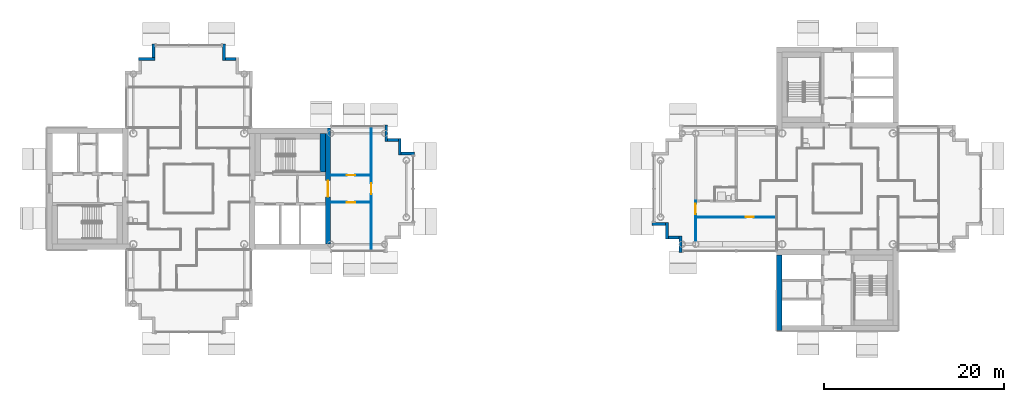
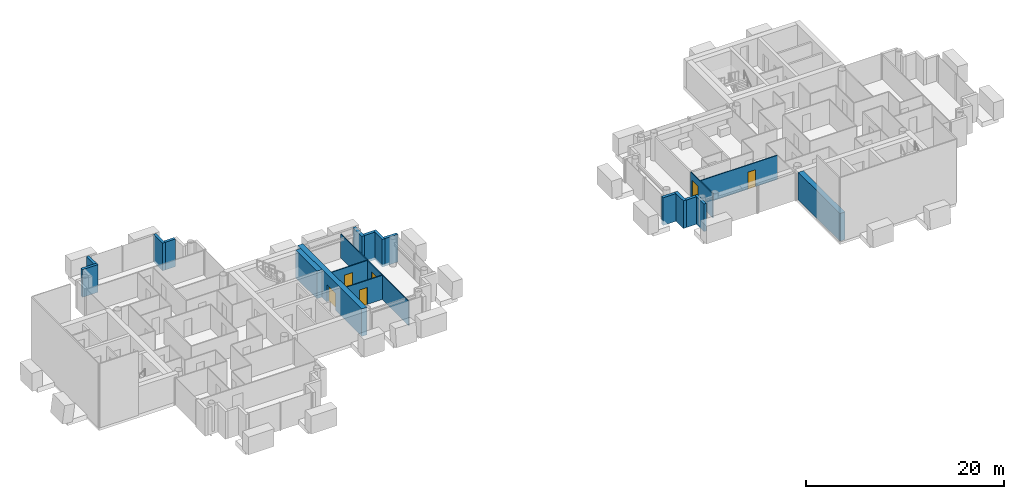
# One storey, part 8 of 18: 20 walls, 6 doors, 6 openings.
"""IFC4 building model written with IfcOpenShell, lengths in metres."""

from ifc_helpers import new_model, si_unit, direction, frame, frame_2d, origin, place, context, subcontext, project, spatial, rectangle, extrude, material, layer, layer_set, type_object, element, fill, save


model = new_model("IFC4")

# Units and contexts
model_context = context("Model", 3, precision=1e-05, world=origin(), true_north=direction((0.0, 1.0)))
body_context = subcontext(model_context, "Body", "Model", "MODEL_VIEW")
ifc_project = project(units=[si_unit("LENGTHUNIT", "METRE"), si_unit("AREAUNIT", "SQUARE_METRE"), si_unit("VOLUMEUNIT", "CUBIC_METRE"), si_unit("PLANEANGLEUNIT", "RADIAN"), si_unit("MASSUNIT", "GRAM", prefix="KILO")], contexts=[model_context])

# Site, building, storey
site_placement = place(None, origin())
site = spatial("IfcSite", under=ifc_project, at=site_placement, CompositionType="ELEMENT")
building_placement = place(site_placement, origin())
building = spatial("IfcBuilding", under=site, at=building_placement, Name="Ipe Terrace Towers", CompositionType="ELEMENT")
storey_placement = place(building_placement, frame((0.0, 0.0, 230.0)))
storey = spatial("IfcBuildingStorey", under=building, at=storey_placement, Name="L64", CompositionType="ELEMENT", Elevation=230.0)

# Walls
ifc_material_1 = material(Name="Concrete C40/50 with buff precast cladding", Category="concrete")
ifc_layer_1 = layer(ifc_material_1, 0.320068359375)
ifc_layer_set_1 = layer_set([ifc_layer_1], Name="BUFF CLADDING WALL 320")
wall_type_1 = type_object("IfcWallType", Name="BUFF CLADDING WALL 320", PredefinedType="STANDARD", material=ifc_layer_set_1)
wall_1_placement = place(storey_placement, frame((-10.929931640625, 3.909912109375, -0.300048828125), z_axis=(0.0, 0.0, 1.0), x_axis=(-1.0, 0.0, 0.0)))
element("IfcWall", 1, at=wall_1_placement, inside=storey, type_object=wall_type_1, Name="T1-W-L64-22a wall", PredefinedType="STANDARD", context=body_context, shape_type="SweptSolid", body=[
    extrude(rectangle(XDim=1.5, YDim=0.320068359375, at=frame_2d((0.75, 0.0))), origin(), (0.0, 0.0, 1.0), 3.400146484375),
])
wall_2_placement = place(storey_placement, frame((-12.590087890625, 3.75, -0.300048828125), z_axis=(0.0, 0.0, 1.0), x_axis=(0.0, 1.0, 0.0)))
element("IfcWall", 2, at=wall_2_placement, inside=storey, type_object=wall_type_1, Name="T1-W-L64-23a wall", PredefinedType="STANDARD", context=body_context, shape_type="SweptSolid", body=[
    extrude(rectangle(XDim=1.820068359375, YDim=0.320068359375, at=frame_2d((0.91015625, 0.0))), origin(), (0.0, 0.0, 1.0), 3.400146484375),
])
wall_3_placement = place(storey_placement, frame((-12.75, 5.409912109375, -0.300048828125), z_axis=(0.0, 0.0, 1.0), x_axis=(-1.0, 0.0, 0.0)))
element("IfcWall", 3, at=wall_3_placement, inside=storey, type_object=wall_type_1, Name="T1-W-L64-24a wall", PredefinedType="STANDARD", context=body_context, shape_type="SweptSolid", body=[
    extrude(rectangle(XDim=1.179931640625, YDim=0.320068359375, at=frame_2d((0.58984375, 0.0))), origin(), (0.0, 0.0, 1.0), 3.400146484375),
])
wall_4_placement = place(storey_placement, frame((-14.090087890625, 5.25, -0.300048828125), z_axis=(0.0, 0.0, 1.0), x_axis=(0.0, 1.0, 0.0)))
element("IfcWall", 4, at=wall_4_placement, inside=storey, type_object=wall_type_1, Name="T1-W-L64-25a wall", PredefinedType="STANDARD", context=body_context, shape_type="SweptSolid", body=[
    extrude(rectangle(XDim=1.820068359375, YDim=0.320068359375, at=frame_2d((0.91015625, 0.0))), origin(), (0.0, 0.0, 1.0), 3.400146484375),
])
wall_5_placement = place(storey_placement, frame((-30.75, 14.409912109375, -0.300048828125), z_axis=(0.0, 0.0, 1.0), x_axis=(-1.0, 0.0, 0.0)))
element("IfcWall", 5, at=wall_5_placement, inside=storey, type_object=wall_type_1, Name="T1-W-L64-32a wall", PredefinedType="STANDARD", context=body_context, shape_type="SweptSolid", body=[
    extrude(rectangle(XDim=1.179931640625, YDim=0.320068359375, at=frame_2d((0.58984375, 0.0))), origin(), (0.0, 0.0, 1.0), 3.400146484375),
])
wall_6_placement = place(storey_placement, frame((-32.090087890625, 14.25, -0.300048828125), z_axis=(0.0, 0.0, 1.0), x_axis=(0.0, 1.0, 0.0)))
element("IfcWall", 6, at=wall_6_placement, inside=storey, type_object=wall_type_1, Name="T1-W-L64-33a wall", PredefinedType="STANDARD", context=body_context, shape_type="SweptSolid", body=[
    extrude(rectangle(XDim=1.820068359375, YDim=0.320068359375, at=frame_2d((0.91015625, 0.0))), origin(), (0.0, 0.0, 1.0), 3.400146484375),
])
wall_7_placement = place(storey_placement, frame((-39.909912109375, 16.070068359375, -0.300048828125), z_axis=(0.0, 0.0, 1.0), x_axis=(0.0, -1.0, 0.0)))
element("IfcWall", 7, at=wall_7_placement, inside=storey, type_object=wall_type_1, Name="T1-W-L64-35a wall", PredefinedType="STANDARD", context=body_context, shape_type="SweptSolid", body=[
    extrude(rectangle(XDim=1.5, YDim=0.320068359375, at=frame_2d((0.75, 0.0))), origin(), (0.0, 0.0, 1.0), 3.400146484375),
])
wall_8_placement = place(storey_placement, frame((-39.75, 14.409912109375, -0.300048828125), z_axis=(0.0, 0.0, 1.0), x_axis=(-1.0, 0.0, 0.0)))
element("IfcWall", 8, at=wall_8_placement, inside=storey, type_object=wall_type_1, Name="T1-W-L64-36a wall", PredefinedType="STANDARD", context=body_context, shape_type="SweptSolid", body=[
    extrude(rectangle(XDim=1.820068359375, YDim=0.320068359375, at=frame_2d((0.91015625, 0.0))), origin(), (0.0, 0.0, 1.0), 3.400146484375),
])
wall_9_placement = place(storey_placement, frame((15.429931640625, -3.909912109375, -0.300048828125), z_axis=(0.0, 0.0, 1.0), x_axis=(1.0, 0.0, 0.0)))
element("IfcWall", 9, at=wall_9_placement, inside=storey, type_object=wall_type_1, Name="T2-W-L64-27a wall", PredefinedType="STANDARD", context=body_context, shape_type="SweptSolid", body=[
    extrude(rectangle(XDim=1.5, YDim=0.320068359375, at=frame_2d((0.75, 0.0))), origin(), (0.0, 0.0, 1.0), 3.400146484375),
])
wall_10_placement = place(storey_placement, frame((17.090087890625, -3.75, -0.300048828125), z_axis=(0.0, 0.0, 1.0), x_axis=(0.0, -1.0, 0.0)))
element("IfcWall", 10, at=wall_10_placement, inside=storey, type_object=wall_type_1, Name="T2-W-L64-28a wall", PredefinedType="STANDARD", context=body_context, shape_type="SweptSolid", body=[
    extrude(rectangle(XDim=1.820068359375, YDim=0.320068359375, at=frame_2d((0.91015625, 0.0))), origin(), (0.0, 0.0, 1.0), 3.400146484375),
])
wall_11_placement = place(storey_placement, frame((17.25, -5.409912109375, -0.300048828125), z_axis=(0.0, 0.0, 1.0), x_axis=(1.0, 0.0, 0.0)))
element("IfcWall", 11, at=wall_11_placement, inside=storey, type_object=wall_type_1, Name="T2-W-L64-29a wall", PredefinedType="STANDARD", context=body_context, shape_type="SweptSolid", body=[
    extrude(rectangle(XDim=1.179931640625, YDim=0.320068359375, at=frame_2d((0.58984375, 0.0))), origin(), (0.0, 0.0, 1.0), 3.400146484375),
])
wall_12_placement = place(storey_placement, frame((18.590087890625, -5.25, -0.300048828125), z_axis=(0.0, 0.0, 1.0), x_axis=(0.0, -1.0, 0.0)))
element("IfcWall", 12, at=wall_12_placement, inside=storey, type_object=wall_type_1, Name="T2-W-L64-30a wall", PredefinedType="STANDARD", context=body_context, shape_type="SweptSolid", body=[
    extrude(rectangle(XDim=1.820068359375, YDim=0.320068359375, at=frame_2d((0.91015625, 0.0))), origin(), (0.0, 0.0, 1.0), 3.400146484375),
])

# Wall, opening, door
ifc_material_2 = material(Name="Gypsum board partition", Category="plasterboard")
ifc_layer_2 = layer(ifc_material_2, 0.10009765625)
ifc_layer_set_2 = layer_set([ifc_layer_2], Name="Gypsum board partition 100 mm")
wall_type_2 = type_object("IfcWallType", Name="Gypsum board partition 100 mm", PredefinedType="PARTITIONING", material=ifc_layer_set_2)
wall_13_placement = place(storey_placement, frame((-15.75, -6.85009765625, 0.0), z_axis=(0.0, 0.0, 1.0), x_axis=(0.0, 1.0, 0.0)))
wall_13 = element("IfcWall", 13, at=wall_13_placement, inside=storey, type_object=wall_type_2, Name="Gypsum board partition T1 L64 W13", PredefinedType="PARTITIONING", context=body_context, shape_type="SweptSolid", body=[
    extrude(rectangle(XDim=13.7001953125, YDim=0.10009765625, at=frame_2d((6.85009765625, 0.0))), origin(), (0.0, 0.0, 1.0), 2.97998046875),
])
opening_1_placement = place(wall_13_placement, frame((6.25, 0.0, 0.0)))
opening_1 = element("IfcOpeningElement", 14, at=opening_1_placement, cuts=wall_13, Name="Opening T1-Z4B-18", PredefinedType="OPENING", context=body_context, shape_type="SweptSolid", body=[
    extrude(rectangle(XDim=1.199951171875, YDim=2.10009765625, at=frame_2d((0.60009765625, 1.050048828125))), frame((0.0, 0.06005859375, 0.0), z_axis=(0.0, -1.0, 0.0), x_axis=(1.0, 0.0, 0.0)), (0.0, 0.0, 1.0), 0.1201171875),
])
ifc_material_3 = material(Name="Timber door leaf", Category="wood")
door_type_1 = type_object("IfcDoorType", Name="Lounge door 1200 x 2100", OperationType="NOTDEFINED", PredefinedType="DOOR", material=ifc_material_3)
door_1_placement = place(opening_1_placement, origin())
door_1 = element("IfcDoor", 15, at=door_1_placement, inside=storey, type_object=door_type_1, Name="Lounge door T1-Z4B-18", OperationType="SINGLE_SWING_RIGHT", OverallHeight=2.10009765625, OverallWidth=1.199951171875, PredefinedType="DOOR", context=body_context, shape_type="SweptSolid", body=[
    extrude(rectangle(XDim=1.199951171875, YDim=2.10009765625, at=frame_2d((0.60009765625, 1.050048828125))), frame((0.0, 0.02490234375, 0.0), z_axis=(0.0, -1.0, 0.0), x_axis=(1.0, 0.0, 0.0)), (0.0, 0.0, 1.0), 0.050048828125),
])
fill(opening_1, door_1)

wall_14_placement = place(storey_placement, frame((-20.25, -1.5, 0.0), z_axis=(0.0, 0.0, 1.0), x_axis=(1.0, 0.0, 0.0)))
wall_14 = element("IfcWall", 16, at=wall_14_placement, inside=storey, type_object=wall_type_2, Name="Gypsum board partition T1 L64 W24", PredefinedType="PARTITIONING", context=body_context, shape_type="SweptSolid", body=[
    extrude(rectangle(XDim=4.5, YDim=0.10009765625, at=frame_2d((2.25, 0.0))), origin(), (0.0, 0.0, 1.0), 2.97998046875),
])
opening_2_placement = place(wall_14_placement, frame((1.800048828125, 0.0, 0.0)))
opening_2 = element("IfcOpeningElement", 17, at=opening_2_placement, cuts=wall_14, Name="Opening T1-Z4B-17", PredefinedType="OPENING", context=body_context, shape_type="SweptSolid", body=[
    extrude(rectangle(XDim=0.89990234375, YDim=2.10009765625, at=frame_2d((0.449951171875, 1.050048828125))), frame((0.0, 0.06005859375, 0.0), z_axis=(0.0, -1.0, 0.0), x_axis=(1.0, 0.0, 0.0)), (0.0, 0.0, 1.0), 0.1201171875),
])
ifc_material_4 = material(Name="Timber door leaf", Category="wood")
door_type_2 = type_object("IfcDoorType", Name="Lounge door 900 x 2100", OperationType="NOTDEFINED", PredefinedType="DOOR", material=ifc_material_4)
door_2_placement = place(opening_2_placement, origin())
door_2 = element("IfcDoor", 18, at=door_2_placement, inside=storey, type_object=door_type_2, Name="Lounge door T1-Z4B-17", OperationType="SINGLE_SWING_RIGHT", OverallHeight=2.10009765625, OverallWidth=0.89990234375, PredefinedType="DOOR", context=body_context, shape_type="SweptSolid", body=[
    extrude(rectangle(XDim=0.89990234375, YDim=2.10009765625, at=frame_2d((0.449951171875, 1.050048828125))), frame((0.0, 0.02490234375, 0.0), z_axis=(0.0, -1.0, 0.0), x_axis=(1.0, 0.0, 0.0)), (0.0, 0.0, 1.0), 0.050048828125),
])
fill(opening_2, door_2)

wall_15_placement = place(storey_placement, frame((-20.25, 1.5, 0.0), z_axis=(0.0, 0.0, 1.0), x_axis=(1.0, 0.0, 0.0)))
wall_15 = element("IfcWall", 19, at=wall_15_placement, inside=storey, type_object=wall_type_2, Name="Gypsum board partition T1 L64 W27", PredefinedType="PARTITIONING", context=body_context, shape_type="SweptSolid", body=[
    extrude(rectangle(XDim=4.5, YDim=0.10009765625, at=frame_2d((2.25, 0.0))), origin(), (0.0, 0.0, 1.0), 2.97998046875),
])
opening_3_placement = place(wall_15_placement, frame((1.800048828125, 0.0, 0.0)))
opening_3 = element("IfcOpeningElement", 20, at=opening_3_placement, cuts=wall_15, Name="Opening T1-Z4B-16", PredefinedType="OPENING", context=body_context, shape_type="SweptSolid", body=[
    extrude(rectangle(XDim=0.89990234375, YDim=2.10009765625, at=frame_2d((0.449951171875, 1.050048828125))), frame((0.0, 0.06005859375, 0.0), z_axis=(0.0, -1.0, 0.0), x_axis=(1.0, 0.0, 0.0)), (0.0, 0.0, 1.0), 0.1201171875),
])
door_3_placement = place(opening_3_placement, origin())
door_3 = element("IfcDoor", 21, at=door_3_placement, inside=storey, type_object=door_type_2, Name="Lounge door T1-Z4B-16", OperationType="SINGLE_SWING_LEFT", OverallHeight=2.10009765625, OverallWidth=0.89990234375, PredefinedType="DOOR", context=body_context, shape_type="SweptSolid", body=[
    extrude(rectangle(XDim=0.89990234375, YDim=2.10009765625, at=frame_2d((0.449951171875, 1.050048828125))), frame((0.0, 0.02490234375, 0.0), z_axis=(0.0, -1.0, 0.0), x_axis=(1.0, 0.0, 0.0)), (0.0, 0.0, 1.0), 0.050048828125),
])
fill(opening_3, door_3)

wall_16_placement = place(storey_placement, frame((29.25, -3.14990234375, 0.0), z_axis=(0.0, 0.0, 1.0), x_axis=(-1.0, 0.0, 0.0)))
wall_16 = element("IfcWall", 22, at=wall_16_placement, inside=storey, type_object=wall_type_2, Name="Gypsum board partition T2 L64 W04", PredefinedType="PARTITIONING", context=body_context, shape_type="SweptSolid", body=[
    extrude(rectangle(XDim=9.0, YDim=0.10009765625, at=frame_2d((4.5, 0.0))), origin(), (0.0, 0.0, 1.0), 2.97998046875),
])
opening_4_placement = place(wall_16_placement, frame((2.550048828125, 0.0, 0.0)))
opening_4 = element("IfcOpeningElement", 23, at=opening_4_placement, cuts=wall_16, Name="Opening T2-Z4B-10", PredefinedType="OPENING", context=body_context, shape_type="SweptSolid", body=[
    extrude(rectangle(XDim=0.89990234375, YDim=2.10009765625, at=frame_2d((0.449951171875, 1.050048828125))), frame((0.0, 0.06005859375, 0.0), z_axis=(0.0, -1.0, 0.0), x_axis=(1.0, 0.0, 0.0)), (0.0, 0.0, 1.0), 0.1201171875),
])
door_4_placement = place(opening_4_placement, origin())
door_4 = element("IfcDoor", 24, at=door_4_placement, inside=storey, type_object=door_type_2, Name="Lounge door T2-Z4B-10", OperationType="SINGLE_SWING_RIGHT", OverallHeight=2.10009765625, OverallWidth=0.89990234375, PredefinedType="DOOR", context=body_context, shape_type="SweptSolid", body=[
    extrude(rectangle(XDim=0.89990234375, YDim=2.10009765625, at=frame_2d((0.449951171875, 1.050048828125))), frame((0.0, 0.02490234375, 0.0), z_axis=(0.0, -1.0, 0.0), x_axis=(1.0, 0.0, 0.0)), (0.0, 0.0, 1.0), 0.050048828125),
])
fill(opening_4, door_4)

wall_17_placement = place(storey_placement, frame((20.25, -5.800048828125, 0.0), z_axis=(0.0, 0.0, 1.0), x_axis=(0.0, 1.0, 0.0)))
wall_17 = element("IfcWall", 25, at=wall_17_placement, inside=storey, type_object=wall_type_2, Name="Gypsum board partition T2 L64 W37", PredefinedType="PARTITIONING", context=body_context, shape_type="SweptSolid", body=[
    extrude(rectangle(XDim=4.449951171875, YDim=0.10009765625, at=frame_2d((2.22509765625, 0.0))), origin(), (0.0, 0.0, 1.0), 2.97998046875),
])
opening_5_placement = place(wall_17_placement, frame((2.949951171875, 0.0, 0.0)))
opening_5 = element("IfcOpeningElement", 26, at=opening_5_placement, cuts=wall_17, Name="Opening T2-Z4B-14", PredefinedType="OPENING", context=body_context, shape_type="SweptSolid", body=[
    extrude(rectangle(XDim=1.199951171875, YDim=2.10009765625, at=frame_2d((0.60009765625, 1.050048828125))), frame((0.0, 0.06005859375, 0.0), z_axis=(0.0, -1.0, 0.0), x_axis=(1.0, 0.0, 0.0)), (0.0, 0.0, 1.0), 0.1201171875),
])
door_5_placement = place(opening_5_placement, origin())
door_5 = element("IfcDoor", 27, at=door_5_placement, inside=storey, type_object=door_type_1, Name="Lounge door T2-Z4B-14", OperationType="SINGLE_SWING_LEFT", OverallHeight=2.10009765625, OverallWidth=1.199951171875, PredefinedType="DOOR", context=body_context, shape_type="SweptSolid", body=[
    extrude(rectangle(XDim=1.199951171875, YDim=2.10009765625, at=frame_2d((0.60009765625, 1.050048828125))), frame((0.0, 0.02490234375, 0.0), z_axis=(0.0, -1.0, 0.0), x_axis=(1.0, 0.0, 0.0)), (0.0, 0.0, 1.0), 0.050048828125),
])
fill(opening_5, door_5)

# Wall
ifc_material_5 = material(Name="Concrete C40/50", Category="concrete")
ifc_layer_3 = layer(ifc_material_5, 0.60009765625)
ifc_layer_set_3 = layer_set([ifc_layer_3], Name="RW600 CORE INFILL WALL 600 C40-50")
wall_type_3 = type_object("IfcWallType", Name="RW600 CORE INFILL WALL 600 C40-50", PredefinedType="SHEAR", material=ifc_layer_set_3)
wall_18_placement = place(storey_placement, frame((-21.14990234375, 1.85009765625, 0.0), z_axis=(0.0, 0.0, 1.0), x_axis=(0.0, 1.0, 0.0)))
element("IfcWall", 28, at=wall_18_placement, inside=storey, type_object=wall_type_3, Name="Core infill wall T1-C1-far", PredefinedType="SHEAR", context=body_context, shape_type="SweptSolid", body=[
    extrude(rectangle(XDim=4.2998046875, YDim=0.60009765625, at=frame_2d((2.14990234375, 0.0))), origin(), (0.0, 0.0, 1.0), 3.39990234375),
])

# Wall, opening, door
ifc_material_6 = material(Name="Concrete C40/50", Category="concrete")
ifc_layer_4 = layer(ifc_material_6, 0.60009765625)
ifc_layer_set_4 = layer_set([ifc_layer_4], Name="RW600 CORE WALL 600 C40-50")
wall_type_4 = type_object("IfcWallType", Name="RW600 CORE WALL 600 C40-50", PredefinedType="SHEAR", material=ifc_layer_set_4)
wall_19_placement = place(storey_placement, frame((-20.550048828125, -6.14990234375, 0.0), z_axis=(0.0, 0.0, 1.0), x_axis=(0.0, 1.0, 0.0)))
wall_19 = element("IfcWall", 29, at=wall_19_placement, inside=storey, type_object=wall_type_4, Name="Core wall T1-C1-Z4-W02", PredefinedType="SHEAR", context=body_context, shape_type="SweptSolid", body=[
    extrude(rectangle(XDim=12.89990234375, YDim=0.60009765625, at=frame_2d((6.449951171875, 0.0))), origin(), (0.0, 0.0, 1.0), 3.39990234375),
])
opening_6_placement = place(wall_19_placement, frame((5.25, 0.0, 0.0)))
opening_6 = element("IfcOpeningElement", 30, at=opening_6_placement, cuts=wall_19, Name="Opening T1C1-FD", PredefinedType="OPENING", context=body_context, shape_type="SweptSolid", body=[
    extrude(rectangle(XDim=1.800048828125, YDim=2.10009765625, at=frame_2d((0.89990234375, 1.050048828125))), frame((0.0, 0.31005859375, 0.0), z_axis=(0.0, -1.0, 0.0), x_axis=(1.0, 0.0, 0.0)), (0.0, 0.0, 1.0), 0.6201171875),
])
ifc_material_7 = material(Name="Fire-rated timber door leaf", Category="wood")
door_type_3 = type_object("IfcDoorType", Name="Fire door 1800 x 2100 FD30S", OperationType="NOTDEFINED", PredefinedType="DOOR", material=ifc_material_7)
door_6_placement = place(opening_6_placement, origin())
door_6 = element("IfcDoor", 31, at=door_6_placement, inside=storey, type_object=door_type_3, Name="Fire door T1C1-FD", OperationType="SINGLE_SWING_LEFT", OverallHeight=2.10009765625, OverallWidth=1.800048828125, PredefinedType="DOOR", context=body_context, shape_type="SweptSolid", body=[
    extrude(rectangle(XDim=1.800048828125, YDim=2.10009765625, at=frame_2d((0.89990234375, 1.050048828125))), frame((0.0, 0.02490234375, 0.0), z_axis=(0.0, -1.0, 0.0), x_axis=(1.0, 0.0, 0.0)), (0.0, 0.0, 1.0), 0.050048828125),
])
fill(opening_6, door_6)

# Wall
wall_20_placement = place(storey_placement, frame((29.550048828125, -7.35009765625, 0.0), z_axis=(0.0, 0.0, 1.0), x_axis=(0.0, -1.0, 0.0)))
element("IfcWall", 32, at=wall_20_placement, inside=storey, type_object=wall_type_4, Name="Core wall T2-C2-Z4-W04", PredefinedType="SHEAR", context=body_context, shape_type="SweptSolid", body=[
    extrude(rectangle(XDim=8.39990234375, YDim=0.60009765625, at=frame_2d((4.199951171875, 0.0))), origin(), (0.0, 0.0, 1.0), 3.39990234375),
])

save(model, "model.ifc")
